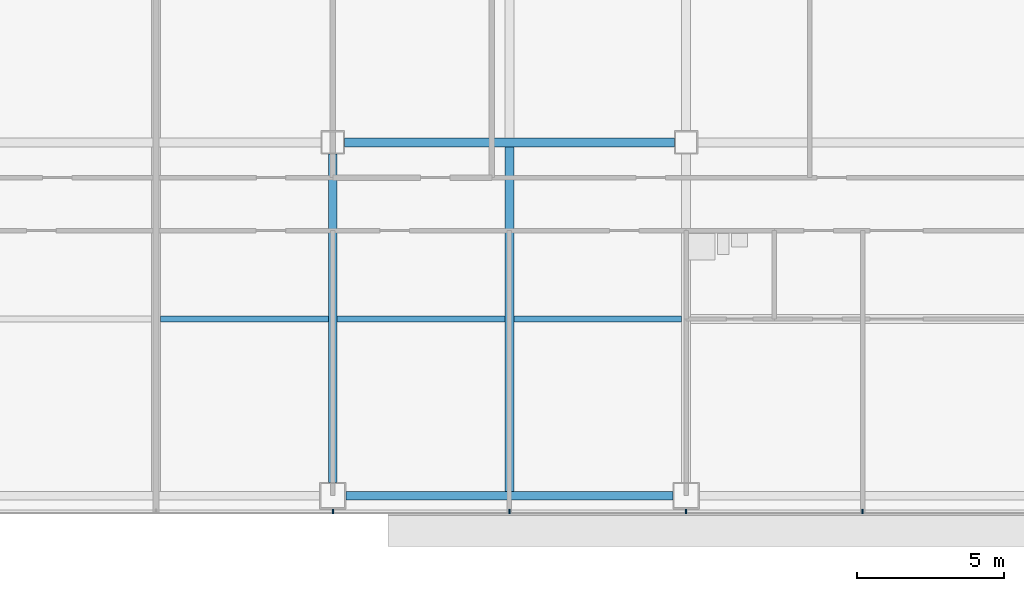
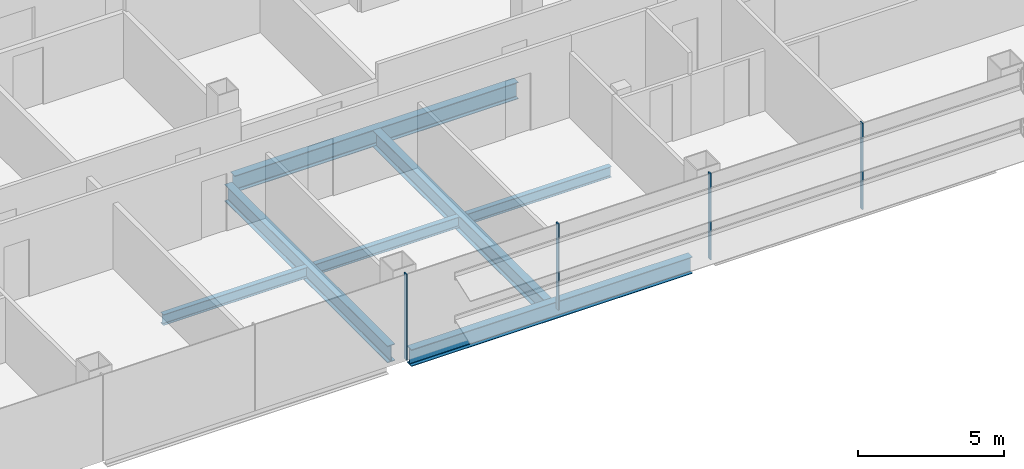
# One storey, part 8 of 27: 7 beams, 4 members, 1 element without a shape of its own.
"""IFC4 building model written with IfcOpenShell, lengths in metres."""

import ifcopenshell
import ifcopenshell.guid

model = None  # the IFC model being written
_history = None  # IfcOwnerHistory: only IFC2X3 demands one
_inside = {}  # id of a spatial element -> (the spatial element, [elements in it])
_under = {}  # id of a project, library or spatial element -> (it, [spatial elements below it])
_declared = {}  # id of a project -> (the project, [libraries it declares])
_typed = {}  # id of a type object -> (the type object, [elements of that type])
_made_of = {}  # id of a material, layer set ... -> (it, [elements and type objects made of it])


def new_model(schema):
    """Start an empty IFC model of exactly this schema.

    Asked for "IFC4X3", IfcOpenShell would pick the latest addendum, in which some entities
    have other attributes; the version numbers below select the first issue.
    IFC2X3 requires an IfcOwnerHistory on every rooted entity: one is made here for all.
    """
    global model, _history
    if schema == "IFC4X3":
        model = ifcopenshell.file(schema_version=(4, 3, 0, 0))
    else:
        model = ifcopenshell.file(schema=schema)
    _inside.clear()
    _under.clear()
    _declared.clear()
    _typed.clear()
    _made_of.clear()
    _history = None
    if model.schema == "IFC2X3":
        org = make("IfcOrganization", Name="unknown")
        user = make(
            "IfcPersonAndOrganization",
            ThePerson=make("IfcPerson", FamilyName="unknown"),
            TheOrganization=org,
        )
        app = make(
            "IfcApplication",
            ApplicationDeveloper=org,
            Version="unknown",
            ApplicationFullName="unknown",
            ApplicationIdentifier="unknown",
        )
        _history = make(
            "IfcOwnerHistory",
            OwningUser=user,
            OwningApplication=app,
            ChangeAction="ADDED",
            CreationDate=0,
        )
    return model


def make(cls, **values):
    """One entity of the class cls with the attributes given. An attribute that is None is left unset."""
    return model.create_entity(
        cls, **{name: value for name, value in values.items() if value is not None}
    )


def rooted(cls, **values):
    """An entity with a GlobalId (a new one), such as an element, a storey or a relation."""
    return make(cls, GlobalId=ifcopenshell.guid.new(), OwnerHistory=_history, **values)


def si_unit(unit_type, name, prefix=None):
    """IfcSIUnit, for example si_unit("LENGTHUNIT", "METRE", prefix="MILLI")."""
    return make("IfcSIUnit", UnitType=unit_type, Prefix=prefix, Name=name)


def assignment(units):
    """IfcUnitAssignment: the units of a project."""
    return None if units is None else make("IfcUnitAssignment", Units=units)


def point(xyz):
    """IfcCartesianPoint."""
    return None if xyz is None else make("IfcCartesianPoint", Coordinates=xyz)


def direction(xyz):
    """IfcDirection."""
    return None if xyz is None else make("IfcDirection", DirectionRatios=xyz)


def frame(location, z_axis=None, x_axis=None):
    """IfcAxis2Placement3D, a coordinate frame: its origin and axes. An axis left out is left unset."""
    return make(
        "IfcAxis2Placement3D",
        Location=point(location),
        Axis=direction(z_axis),
        RefDirection=direction(x_axis),
    )


def frame_2d(location, x_axis=None):
    """IfcAxis2Placement2D, a coordinate frame in the plane: its origin and x axis."""
    return make(
        "IfcAxis2Placement2D", Location=point(location), RefDirection=direction(x_axis)
    )


def origin():
    """The frame at (0, 0, 0) with its axes left unset."""
    return frame((0.0, 0.0, 0.0))


def origin_2d():
    """The frame at (0, 0) in the plane with its x axis left unset."""
    return frame_2d((0.0, 0.0))


def place(relative_to, where):
    """IfcLocalPlacement: puts the frame where relative to a parent placement (None: the world)."""
    return make(
        "IfcLocalPlacement", PlacementRelTo=relative_to, RelativePlacement=where
    )


def context(
    kind, dimensions, precision=None, world=None, true_north=None, identifier=None
):
    """IfcGeometricRepresentationContext, for example the 3D "Model" context."""
    return make(
        "IfcGeometricRepresentationContext",
        ContextIdentifier=identifier,
        ContextType=kind,
        CoordinateSpaceDimension=dimensions,
        Precision=precision,
        WorldCoordinateSystem=world,
        TrueNorth=true_north,
    )


def subcontext(parent, identifier, kind, view, scale=None):
    """IfcGeometricRepresentationSubContext, for example "Body" below "Model"."""
    return make(
        "IfcGeometricRepresentationSubContext",
        ContextIdentifier=identifier,
        ContextType=kind,
        ParentContext=parent,
        TargetScale=scale,
        TargetView=view,
    )


def project(units=None, contexts=None):
    """IfcProject with its units and contexts."""
    return rooted(
        "IfcProject",
        Name="project",
        RepresentationContexts=contexts,
        UnitsInContext=assignment(units),
    )


def spatial(cls, under=None, at=None, **own):
    """A site, building, storey or space (cls), placed at a placement, below another one or the project."""
    s = rooted(cls, ObjectPlacement=at, **own)
    if under is not None:
        _under.setdefault(under.id(), (under, []))[1].append(s)
    return s


def profile(cls, at=None, kind="AREA", **sizes):
    """A parametric profile (cls). Its sizes go by their IFC names, for example OverallWidth=200.0."""
    return make(cls, ProfileType=kind, Position=at, **sizes)


def rectangle(**sizes):
    """IfcRectangleProfileDef."""
    return profile("IfcRectangleProfileDef", **sizes)


def i_section(**sizes):
    """IfcIShapeProfileDef."""
    return profile("IfcIShapeProfileDef", **sizes)


def extrude(swept, where, along, depth):
    """IfcExtrudedAreaSolid: the profile swept, set in the frame where, extruded along a direction by depth."""
    return make(
        "IfcExtrudedAreaSolid",
        SweptArea=swept,
        Position=where,
        ExtrudedDirection=direction(along),
        Depth=depth,
    )


def shape(context_of_items, identifier, shape_type, items):
    """IfcShapeRepresentation: the items that make up one representation, for example the "Body"."""
    return make(
        "IfcShapeRepresentation",
        ContextOfItems=context_of_items,
        RepresentationIdentifier=identifier,
        RepresentationType=shape_type,
        Items=items,
    )


def material(Name=None, Category=None):
    """IfcMaterial."""
    return make("IfcMaterial", Name=Name, Category=Category)


def material_profile(
    of_material, cross_section, Name=None, Category=None, Priority=None
):
    """IfcMaterialProfile: a cross section and its material."""
    return make(
        "IfcMaterialProfile",
        Name=Name,
        Material=of_material,
        Profile=cross_section,
        Priority=Priority,
        Category=Category,
    )


def profile_set(profiles, Name=None, composite=None):
    """IfcMaterialProfileSet."""
    return make(
        "IfcMaterialProfileSet",
        Name=Name,
        MaterialProfiles=profiles,
        CompositeProfile=composite,
    )


def made_of(thing, what):
    """Note that an element or type object is made of a material, layer set ...; save() writes the relation."""
    if what is not None:
        _made_of.setdefault(what.id(), (what, []))[1].append(thing)
    return thing


def type_object(cls, material=None, **own):
    """A type object (cls), such as IfcWallType, which elements share."""
    return made_of(rooted(cls, **own), material)


def element(
    cls,
    number,
    at=None,
    inside=None,
    cuts=None,
    type_object=None,
    material=None,
    context=None,
    identifier="Body",
    shape_type=None,
    held_by="IfcProductDefinitionShape",
    body=None,
    shapes=None,
    **own,
):
    """One element of the class cls, such as IfcWall. Its Tag is "e" and its number.

    at: its placement. inside: the storey or other place that contains it. cuts: it is an
    opening in that element (IfcRelVoidsElement). A single representation is given by context,
    identifier, shape_type and body (its items); several are given by shapes. held_by: the class
    of the entity that holds the representations. save() writes the other relations.
    """
    e = rooted(cls, Tag="e%d" % number, ObjectPlacement=at, **own)
    if body is not None:
        shapes = [shape(context, identifier, shape_type, body)]
    if shapes is not None:
        e.Representation = make(held_by, Representations=shapes)
    if inside is not None:
        _inside.setdefault(inside.id(), (inside, []))[1].append(e)
    if cuts is not None:
        rooted(
            "IfcRelVoidsElement", RelatingBuildingElement=cuts, RelatedOpeningElement=e
        )
    if type_object is not None:
        _typed.setdefault(type_object.id(), (type_object, []))[1].append(e)
    return made_of(e, material)


def aggregate(whole, parts):
    """IfcRelAggregates: a whole, such as a stair, and the parts it consists of."""
    return rooted("IfcRelAggregates", RelatingObject=whole, RelatedObjects=parts)


def save(model, path):
    """Write the relations noted so far, then the file.

    IfcRelAggregates (storeys below a building ...), IfcRelContainedInSpatialStructure (elements
    in a storey), IfcRelDefinesByType, IfcRelAssociatesMaterial and IfcRelDeclares: one each for
    every whole, place, type object, material and project.
    """
    for whole, parts in _under.values():
        aggregate(whole, parts)
    for where, things in _inside.values():
        rooted(
            "IfcRelContainedInSpatialStructure",
            RelatedElements=things,
            RelatingStructure=where,
        )
    for kind, things in _typed.values():
        rooted("IfcRelDefinesByType", RelatedObjects=things, RelatingType=kind)
    for what, things in _made_of.values():
        rooted("IfcRelAssociatesMaterial", RelatedObjects=things, RelatingMaterial=what)
    for by, libraries in _declared.values():
        rooted("IfcRelDeclares", RelatingContext=by, RelatedDefinitions=libraries)
    model.write(path)


model = new_model("IFC4")

# Units and contexts
model_context = context("Model", 3, precision=1e-05, world=origin(), true_north=direction((0.0, 1.0)))
body_context = subcontext(model_context, "Body", "Model", "MODEL_VIEW")
ifc_project = project(units=[si_unit("LENGTHUNIT", "METRE"), si_unit("AREAUNIT", "SQUARE_METRE"), si_unit("VOLUMEUNIT", "CUBIC_METRE"), si_unit("PLANEANGLEUNIT", "RADIAN"), si_unit("MASSUNIT", "GRAM", prefix="KILO")], contexts=[model_context])

# Site, building, storey
site_placement = place(None, origin())
site = spatial("IfcSite", under=ifc_project, at=site_placement, CompositionType="ELEMENT")
building_placement = place(site_placement, origin())
building = spatial("IfcBuilding", under=site, at=building_placement, Name="Sorahane Residences", CompositionType="ELEMENT")
storey_placement = place(building_placement, frame((0.0, 0.0, 78.60009765625)))
storey = spatial("IfcBuildingStorey", under=building, at=storey_placement, Name="L16", CompositionType="ELEMENT", Elevation=78.60009765625)

# Curtain wall, members
ifc_material_1 = material(Name="Dark low-e glass and black anodised aluminium", Category="aluminium")
curtain_wall_type = type_object("IfcCurtainWallType", Name="Curtain wall CW-1 Typical unitised wall", PredefinedType="NOTDEFINED", material=ifc_material_1)
curtain_wall_placement = place(storey_placement, origin())
curtain_wall = element("IfcCurtainWall", 1, at=curtain_wall_placement, inside=storey, type_object=curtain_wall_type, Name="CW-1 curtain wall L16 S1", PredefinedType="NOTDEFINED")
ifc_material_2 = material(Name="Black anodised aluminium", Category="aluminium")
ifc_material_profile_1 = material_profile(ifc_material_2, rectangle(XDim=0.159912109375, YDim=0.050048828125, at=origin_2d()), Name="Curtain wall mullion CW-1 black anodised aluminium 50x160")
ifc_profile_set_1 = profile_set([ifc_material_profile_1], Name="Black anodised aluminium")
member_type = type_object("IfcMemberType", Name="Curtain wall mullion CW-1 black anodised aluminium 50x160", PredefinedType="MULLION", material=ifc_profile_set_1)
member_1_placement = place(storey_placement, frame((36.0, -0.5400390625, -0.18017578125), z_axis=(0.0, 0.0, 1.0), x_axis=(0.0, -1.0, 0.0)))
member_1 = element("IfcMember", 2, at=member_1_placement, type_object=member_type, Name="CW-1 mullion L16 S1.6", PredefinedType="MULLION", context=body_context, shape_type="SweptSolid", body=[
    extrude(rectangle(XDim=0.159912109375, YDim=0.050048828125, at=origin_2d()), origin(), (0.0, 0.0, 1.0), 3.60009765625),
])
member_2_placement = place(storey_placement, frame((42.0, -0.5400390625, -0.18017578125), z_axis=(0.0, 0.0, 1.0), x_axis=(0.0, -1.0, 0.0)))
member_2 = element("IfcMember", 3, at=member_2_placement, type_object=member_type, Name="CW-1 mullion L16 S1.7", PredefinedType="MULLION", context=body_context, shape_type="SweptSolid", body=[
    extrude(rectangle(XDim=0.159912109375, YDim=0.050048828125, at=origin_2d()), origin(), (0.0, 0.0, 1.0), 3.60009765625),
])
member_3_placement = place(storey_placement, frame((48.0, -0.5400390625, -0.18017578125), z_axis=(0.0, 0.0, 1.0), x_axis=(0.0, -1.0, 0.0)))
member_3 = element("IfcMember", 4, at=member_3_placement, type_object=member_type, Name="CW-1 mullion L16 S1.8", PredefinedType="MULLION", context=body_context, shape_type="SweptSolid", body=[
    extrude(rectangle(XDim=0.159912109375, YDim=0.050048828125, at=origin_2d()), origin(), (0.0, 0.0, 1.0), 3.60009765625),
])
member_4_placement = place(storey_placement, frame((54.0, -0.5400390625, -0.18017578125), z_axis=(0.0, 0.0, 1.0), x_axis=(0.0, -1.0, 0.0)))
member_4 = element("IfcMember", 5, at=member_4_placement, type_object=member_type, Name="CW-1 mullion L16 S1.9", PredefinedType="MULLION", context=body_context, shape_type="SweptSolid", body=[
    extrude(rectangle(XDim=0.159912109375, YDim=0.050048828125, at=origin_2d()), origin(), (0.0, 0.0, 1.0), 3.60009765625),
])
aggregate(curtain_wall, [member_1, member_2, member_3, member_4])

# Beams
ifc_material_3 = material(Name="Steel Q355B", Category="steel")
ifc_material_profile_2 = material_profile(ifc_material_3, i_section(OverallWidth=0.199951171875, OverallDepth=0.449951171875, WebThickness=0.009033203125, FlangeThickness=0.013916015625, FilletRadius=0.02001953125, at=origin_2d()), Name="HN 450x200x9x14")
ifc_profile_set_2 = profile_set([ifc_material_profile_2], Name="Steel Q355B")
beam_type_1 = type_object("IfcBeamType", Name="Steel floor beam HN 450x200x9x14 Q355B", PredefinedType="BEAM", material=ifc_profile_set_2)
for number, where, z_axis, x_axis, name in (
    (6, (30.14990234375, 6.0, -0.405029296875), (1.0, 0.0, 0.0), (0.0, 1.0, 0.0), "Beam L16 066"),
    (7, (36.14990234375, 6.0, -0.405029296875), (1.0, 0.0, 0.0), (0.0, 1.0, 0.0), "Beam L16 067"),
    (8, (42.14990234375, 6.0, -0.405029296875), (1.0, 0.0, 0.0), (0.0, 1.0, 0.0), "Beam L16 068"),
):
    element("IfcBeam", number, at=place(storey_placement, frame(where, z_axis=z_axis, x_axis=x_axis)), inside=storey, type_object=beam_type_1, Name=name, PredefinedType="BEAM", context=body_context, shape_type="SweptSolid", body=[
        extrude(i_section(OverallWidth=0.199951171875, OverallDepth=0.449951171875, WebThickness=0.009033203125, FlangeThickness=0.013916015625, FilletRadius=0.02001953125, at=origin_2d()), origin(), (0.0, 0.0, 1.0), 5.7001953125),
    ])
ifc_material_4 = material(Name="Steel Q355B", Category="steel")
ifc_material_profile_3 = material_profile(ifc_material_4, i_section(OverallWidth=0.300048828125, OverallDepth=0.699951171875, WebThickness=0.012939453125, FlangeThickness=0.02392578125, FilletRadius=0.028076171875, at=origin_2d()), Name="HN 700x300x13x24")
ifc_profile_set_3 = profile_set([ifc_material_profile_3], Name="Steel Q355B")
beam_type_2 = type_object("IfcBeamType", Name="Steel floor beam HN 700x300x13x24 Q355B", PredefinedType="BEAM", material=ifc_profile_set_3)
beam_1_placement = place(storey_placement, frame((36.449951171875, 0.0, -0.530029296875), z_axis=(1.0, 0.0, 0.0), x_axis=(0.0, 1.0, 0.0)))
element("IfcBeam", 9, at=beam_1_placement, inside=storey, type_object=beam_type_2, Name="Beam L16 003", PredefinedType="BEAM", context=body_context, shape_type="SweptSolid", body=[
    extrude(i_section(OverallWidth=0.300048828125, OverallDepth=0.699951171875, WebThickness=0.012939453125, FlangeThickness=0.02392578125, FilletRadius=0.028076171875, at=origin_2d()), origin(), (0.0, 0.0, 1.0), 11.10009765625),
])
beam_2_placement = place(storey_placement, frame((36.39990234375, 12.0, -0.530029296875), z_axis=(1.0, 0.0, 0.0), x_axis=(0.0, 1.0, 0.0)))
element("IfcBeam", 10, at=beam_2_placement, inside=storey, type_object=beam_type_2, Name="Beam L16 008", PredefinedType="BEAM", context=body_context, shape_type="SweptSolid", body=[
    extrude(i_section(OverallWidth=0.300048828125, OverallDepth=0.699951171875, WebThickness=0.012939453125, FlangeThickness=0.02392578125, FilletRadius=0.028076171875, at=origin_2d()), origin(), (0.0, 0.0, 1.0), 11.2001953125),
])
beam_3_placement = place(storey_placement, frame((36.0, 0.449951171875, -0.530029296875), z_axis=(0.0, 1.0, 0.0), x_axis=(-1.0, 0.0, 0.0)))
element("IfcBeam", 11, at=beam_3_placement, inside=storey, type_object=beam_type_2, Name="Beam L16 043", PredefinedType="BEAM", context=body_context, shape_type="SweptSolid", body=[
    extrude(i_section(OverallWidth=0.300048828125, OverallDepth=0.699951171875, WebThickness=0.012939453125, FlangeThickness=0.02392578125, FilletRadius=0.028076171875, at=origin_2d()), origin(), (0.0, 0.0, 1.0), 11.150146484375),
])
beam_4_placement = place(storey_placement, frame((42.0, 0.14990234375, -0.530029296875), z_axis=(0.0, 1.0, 0.0), x_axis=(-1.0, 0.0, 0.0)))
element("IfcBeam", 12, at=beam_4_placement, inside=storey, type_object=beam_type_2, Name="Beam L16 045", PredefinedType="BEAM", context=body_context, shape_type="SweptSolid", body=[
    extrude(i_section(OverallWidth=0.300048828125, OverallDepth=0.699951171875, WebThickness=0.012939453125, FlangeThickness=0.02392578125, FilletRadius=0.028076171875, at=origin_2d()), origin(), (0.0, 0.0, 1.0), 11.7001953125),
])

save(model, "model.ifc")
